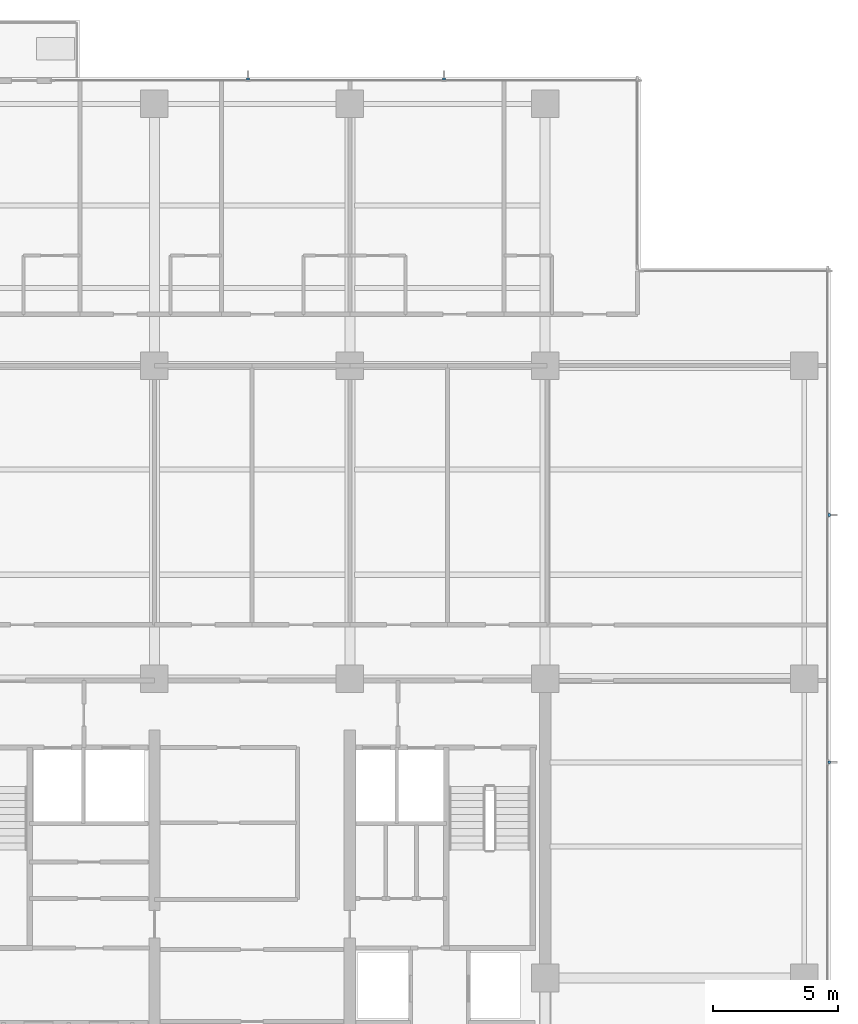
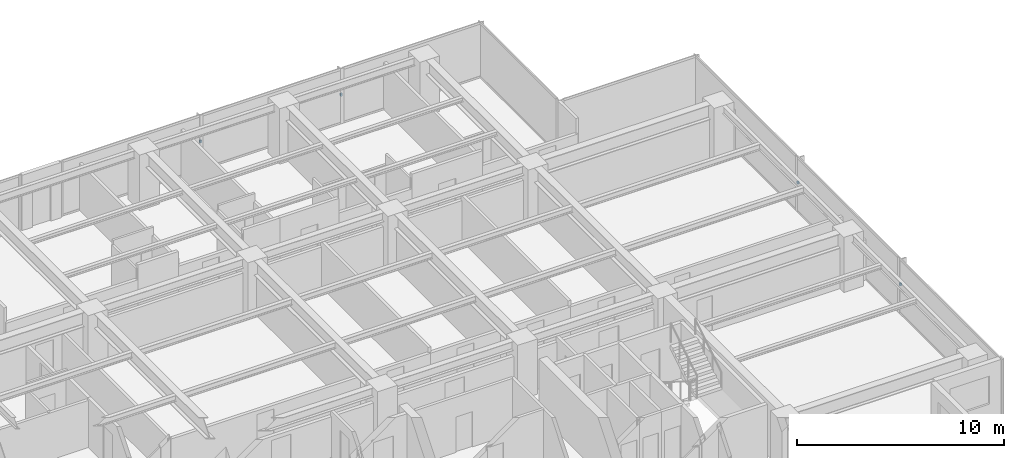
# One storey, part 12 of 14: 4 discrete accessories.
"""IFC4 building model written with IfcOpenShell, lengths in metres."""

from ifc_helpers import new_model, si_unit, direction, frame, origin, place, context, subcontext, project, spatial, polyline, outline, extrude, material, type_object, element, save


model = new_model("IFC4")

# Units and contexts
model_context = context("Model", 3, precision=1e-05, world=origin(), true_north=direction((0.0, 1.0)))
body_context = subcontext(model_context, "Body", "Model", "MODEL_VIEW")
ifc_project = project(units=[si_unit("LENGTHUNIT", "METRE"), si_unit("AREAUNIT", "SQUARE_METRE"), si_unit("VOLUMEUNIT", "CUBIC_METRE"), si_unit("PLANEANGLEUNIT", "RADIAN"), si_unit("MASSUNIT", "GRAM", prefix="KILO")], contexts=[model_context])

# Site, building, storey
site_placement = place(None, origin())
site = spatial("IfcSite", under=ifc_project, at=site_placement, CompositionType="ELEMENT")
building_placement = place(site_placement, origin())
building = spatial("IfcBuilding", under=site, at=building_placement, Name="Qalmaran Belvedere Hotel", CompositionType="ELEMENT")
storey_placement = place(building_placement, frame((0.0, 0.0, 156.10009765625)))
storey = spatial("IfcBuildingStorey", under=building, at=storey_placement, Name="L39", CompositionType="ELEMENT", Elevation=156.10009765625)

# Discrete accessories
ifc_material = material(Name="Stainless Steel 1.4401", Category="steel")
discrete_accessory_type = type_object("IfcDiscreteAccessoryType", Name="BRK-FIN-SS316", PredefinedType="BRACKET", material=ifc_material)
discrete_accessory_1_placement = place(storey_placement, frame((0.0, 0.0, 1.574951171875)))
element("IfcDiscreteAccessory", 1, at=discrete_accessory_1_placement, inside=storey, type_object=discrete_accessory_type, Name="L39 Fin Bracket 1", PredefinedType="BRACKET", context=body_context, shape_type="SweptSolid", body=[
    extrude(outline(polyline([(56.094970703125, 17.11181640625), (56.18994140625, 17.11181640625), (56.18994140625, 17.2216796875), (56.094970703125, 17.2216796875), (56.094970703125, 17.11181640625)])), origin(), (0.0, 0.0, 1.0), 0.139892578125),
])
discrete_accessory_2_placement = place(storey_placement, frame((0.0, 0.0, 1.574951171875)))
element("IfcDiscreteAccessory", 2, at=discrete_accessory_2_placement, inside=storey, type_object=discrete_accessory_type, Name="L39 Fin Bracket 2", PredefinedType="BRACKET", context=body_context, shape_type="SweptSolid", body=[
    extrude(outline(polyline([(56.094970703125, 26.978271484375), (56.18994140625, 26.978271484375), (56.18994140625, 27.08837890625), (56.094970703125, 27.08837890625), (56.094970703125, 26.978271484375)])), origin(), (0.0, 0.0, 1.0), 0.139892578125),
])
discrete_accessory_3_placement = place(storey_placement, frame((0.0, 0.0, 1.574951171875)))
element("IfcDiscreteAccessory", 3, at=discrete_accessory_3_placement, inside=storey, type_object=discrete_accessory_type, Name="L39 Fin Bracket 1", PredefinedType="BRACKET", context=body_context, shape_type="SweptSolid", body=[
    extrude(outline(polyline([(40.82177734375, 44.39501953125), (40.82177734375, 44.489990234375), (40.711669921875, 44.489990234375), (40.711669921875, 44.39501953125), (40.82177734375, 44.39501953125)])), origin(), (0.0, 0.0, 1.0), 0.139892578125),
])
discrete_accessory_4_placement = place(storey_placement, frame((0.0, 0.0, 1.574951171875)))
element("IfcDiscreteAccessory", 4, at=discrete_accessory_4_placement, inside=storey, type_object=discrete_accessory_type, Name="L39 Fin Bracket 2", PredefinedType="BRACKET", context=body_context, shape_type="SweptSolid", body=[
    extrude(outline(polyline([(32.98828125, 44.39501953125), (32.98828125, 44.489990234375), (32.87841796875, 44.489990234375), (32.87841796875, 44.39501953125), (32.98828125, 44.39501953125)])), origin(), (0.0, 0.0, 1.0), 0.139892578125),
])

save(model, "model.ifc")
